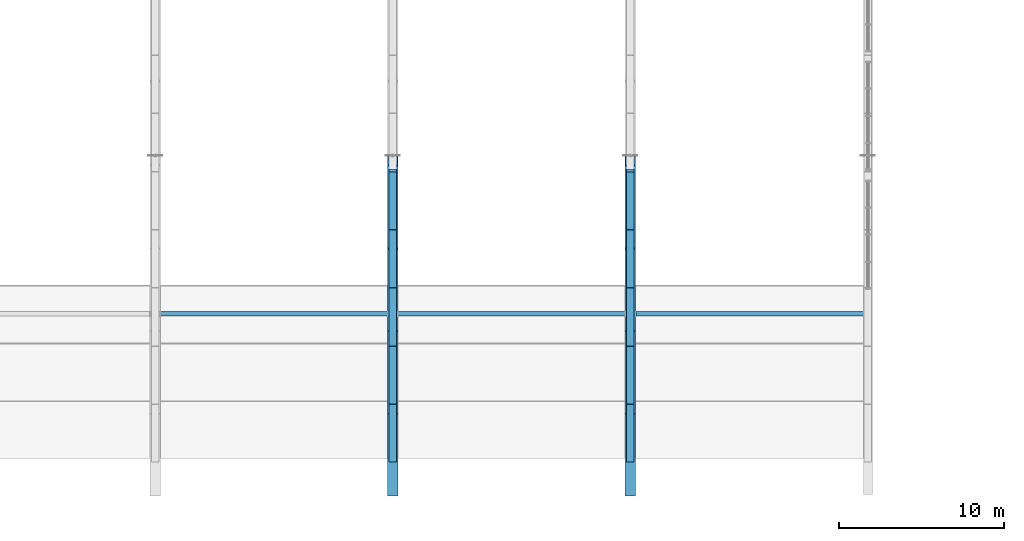
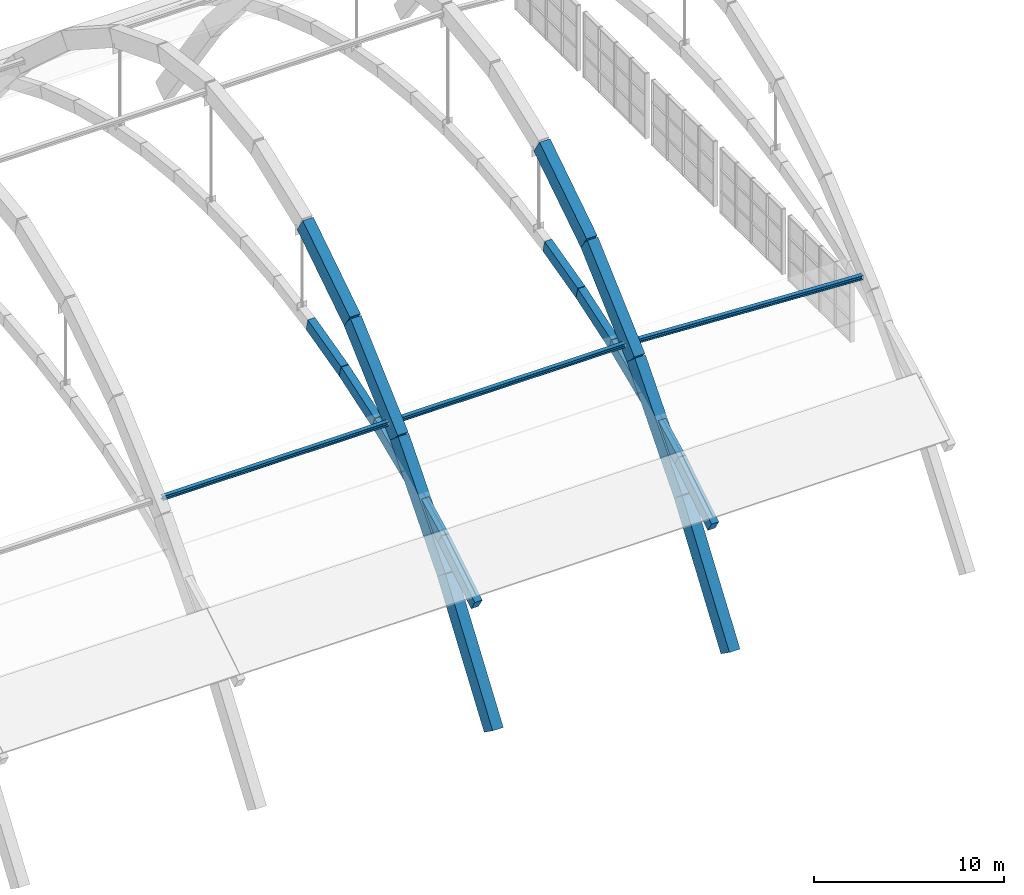
# One storey, part 20 of 64: 11 members, 10 beams.
"""IFC4 building model written with IfcOpenShell, lengths in metres."""

from ifc_helpers import new_model, si_unit, direction, frame, origin, origin_2d, place, context, subcontext, project, spatial, rectangle, hollow_rectangle, i_section, extrude, material, material_profile, profile_set, type_object, element, save


model = new_model("IFC4")

# Units and contexts
model_context = context("Model", 3, precision=1e-05, world=origin(), true_north=direction((0.0, 1.0)))
body_context = subcontext(model_context, "Body", "Model", "MODEL_VIEW")
ifc_project = project(units=[si_unit("LENGTHUNIT", "METRE"), si_unit("AREAUNIT", "SQUARE_METRE"), si_unit("VOLUMEUNIT", "CUBIC_METRE"), si_unit("PLANEANGLEUNIT", "RADIAN"), si_unit("MASSUNIT", "GRAM", prefix="KILO")], contexts=[model_context])

# Site, building, storey
site_placement = place(None, origin())
site = spatial("IfcSite", under=ifc_project, at=site_placement, CompositionType="ELEMENT")
building_placement = place(site_placement, origin())
building = spatial("IfcBuilding", under=site, at=building_placement, Name="Leyfeld Transit Interchange", CompositionType="ELEMENT")
storey_placement = place(building_placement, frame((0.0, 0.0, 9.60009765625)))
storey = spatial("IfcBuildingStorey", under=building, at=storey_placement, Name="L02", CompositionType="ELEMENT", Elevation=9.60009765625)

# Beams
ifc_material_1 = material(Name="Concrete C40/50", Category="concrete")
ifc_material_profile_1 = material_profile(ifc_material_1, rectangle(XDim=0.449951171875, YDim=0.75, at=origin_2d()), Name="RC 750x450 RIB")
ifc_profile_set_1 = profile_set([ifc_material_profile_1], Name="Concrete C40/50")
beam_type = type_object("IfcBeamType", Name="BM-RIB-750x450", PredefinedType="USERDEFINED", material=ifc_profile_set_1)
beam_1_placement = place(storey_placement, frame((72.0, 4.39990234375, -1.135009765625), z_axis=(0.0, 0.850840137882, 0.525424647089), x_axis=(-1.0, 0.0, 0.0)))
element("IfcBeam", 1, at=beam_1_placement, inside=storey, type_object=beam_type, Name="Concourse Vault Rib A6 Seg 1", ObjectType="ARCH_RIB", PredefinedType="USERDEFINED", context=body_context, shape_type="SweptSolid", body=[
    extrude(rectangle(XDim=0.449951171875, YDim=0.75, at=origin_2d()), origin(), (0.0, 0.0, 1.0), 4.113525390625),
])
beam_2_placement = place(storey_placement, frame((72.0, 7.89990234375, 1.0263671875), z_axis=(0.0, 0.890316086289, 0.455343020694), x_axis=(-1.0, 0.0, 0.0)))
element("IfcBeam", 2, at=beam_2_placement, inside=storey, type_object=beam_type, Name="Concourse Vault Rib A6 Seg 2", ObjectType="ARCH_RIB", PredefinedType="USERDEFINED", context=body_context, shape_type="SweptSolid", body=[
    extrude(rectangle(XDim=0.449951171875, YDim=0.75, at=origin_2d()), origin(), (0.0, 0.0, 1.0), 3.93115234375),
])
beam_3_placement = place(storey_placement, frame((72.0, 11.39990234375, 2.81640625), z_axis=(0.0, 0.922787193718, 0.385309998716), x_axis=(-1.0, 0.0, 0.0)))
element("IfcBeam", 3, at=beam_3_placement, inside=storey, type_object=beam_type, Name="Concourse Vault Rib A6 Seg 3", ObjectType="ARCH_RIB", PredefinedType="USERDEFINED", context=body_context, shape_type="SweptSolid", body=[
    extrude(rectangle(XDim=0.449951171875, YDim=0.75, at=origin_2d()), origin(), (0.0, 0.0, 1.0), 3.79296875),
])
beam_4_placement = place(storey_placement, frame((72.0, 14.89990234375, 4.27783203125), z_axis=(0.0, 0.949033570575, 0.315175002058), x_axis=(-1.0, 0.0, 0.0)))
element("IfcBeam", 4, at=beam_4_placement, inside=storey, type_object=beam_type, Name="Concourse Vault Rib A6 Seg 4", ObjectType="ARCH_RIB", PredefinedType="USERDEFINED", context=body_context, shape_type="SweptSolid", body=[
    extrude(rectangle(XDim=0.449951171875, YDim=0.75, at=origin_2d()), origin(), (0.0, 0.0, 1.0), 3.68798828125),
])
beam_5_placement = place(storey_placement, frame((72.0, 18.39990234375, 5.440185546875), z_axis=(0.0, 0.969486598247, 0.245144316312), x_axis=(-1.0, 0.0, 0.0)))
element("IfcBeam", 5, at=beam_5_placement, inside=storey, type_object=beam_type, Name="Concourse Vault Rib A6 Seg 5", ObjectType="ARCH_RIB", PredefinedType="USERDEFINED", context=body_context, shape_type="SweptSolid", body=[
    extrude(rectangle(XDim=0.449951171875, YDim=0.75, at=origin_2d()), origin(), (0.0, 0.0, 1.0), 3.610107421875),
])
beam_6_placement = place(storey_placement, frame((86.39990234375, 4.39990234375, -1.135009765625), z_axis=(0.0, 0.850840137882, 0.525424647089), x_axis=(-1.0, 0.0, 0.0)))
element("IfcBeam", 6, at=beam_6_placement, inside=storey, type_object=beam_type, Name="Concourse Vault Rib A7 Seg 1", ObjectType="ARCH_RIB", PredefinedType="USERDEFINED", context=body_context, shape_type="SweptSolid", body=[
    extrude(rectangle(XDim=0.449951171875, YDim=0.75, at=origin_2d()), origin(), (0.0, 0.0, 1.0), 4.113525390625),
])
beam_7_placement = place(storey_placement, frame((86.39990234375, 7.89990234375, 1.0263671875), z_axis=(0.0, 0.890316086289, 0.455343020694), x_axis=(-1.0, 0.0, 0.0)))
element("IfcBeam", 7, at=beam_7_placement, inside=storey, type_object=beam_type, Name="Concourse Vault Rib A7 Seg 2", ObjectType="ARCH_RIB", PredefinedType="USERDEFINED", context=body_context, shape_type="SweptSolid", body=[
    extrude(rectangle(XDim=0.449951171875, YDim=0.75, at=origin_2d()), origin(), (0.0, 0.0, 1.0), 3.93115234375),
])
beam_8_placement = place(storey_placement, frame((86.39990234375, 11.39990234375, 2.81640625), z_axis=(0.0, 0.922787193718, 0.385309998716), x_axis=(-1.0, 0.0, 0.0)))
element("IfcBeam", 8, at=beam_8_placement, inside=storey, type_object=beam_type, Name="Concourse Vault Rib A7 Seg 3", ObjectType="ARCH_RIB", PredefinedType="USERDEFINED", context=body_context, shape_type="SweptSolid", body=[
    extrude(rectangle(XDim=0.449951171875, YDim=0.75, at=origin_2d()), origin(), (0.0, 0.0, 1.0), 3.79296875),
])
beam_9_placement = place(storey_placement, frame((86.39990234375, 14.89990234375, 4.27783203125), z_axis=(0.0, 0.949033570575, 0.315175002058), x_axis=(-1.0, 0.0, 0.0)))
element("IfcBeam", 9, at=beam_9_placement, inside=storey, type_object=beam_type, Name="Concourse Vault Rib A7 Seg 4", ObjectType="ARCH_RIB", PredefinedType="USERDEFINED", context=body_context, shape_type="SweptSolid", body=[
    extrude(rectangle(XDim=0.449951171875, YDim=0.75, at=origin_2d()), origin(), (0.0, 0.0, 1.0), 3.68798828125),
])
beam_10_placement = place(storey_placement, frame((86.39990234375, 18.39990234375, 5.440185546875), z_axis=(0.0, 0.969486598247, 0.245144316312), x_axis=(-1.0, 0.0, 0.0)))
element("IfcBeam", 10, at=beam_10_placement, inside=storey, type_object=beam_type, Name="Concourse Vault Rib A7 Seg 5", ObjectType="ARCH_RIB", PredefinedType="USERDEFINED", context=body_context, shape_type="SweptSolid", body=[
    extrude(rectangle(XDim=0.449951171875, YDim=0.75, at=origin_2d()), origin(), (0.0, 0.0, 1.0), 3.610107421875),
])

# Members
ifc_material_2 = material(Name="Steel S355J2 - Ochre Arch", Category="steel")
ifc_material_profile_2 = material_profile(ifc_material_2, hollow_rectangle(XDim=0.64990234375, YDim=1.10009765625, WallThickness=0.035888671875, at=origin_2d()), Name="RHS 1100x650x36")
ifc_profile_set_2 = profile_set([ifc_material_profile_2], Name="Steel S355J2 - Ochre Arch")
member_type_1 = type_object("IfcMemberType", Name="MEM-ARCH-1100", PredefinedType="USERDEFINED", material=ifc_profile_set_2)
member_1_placement = place(storey_placement, frame((72.0, 2.60009765625, -8.10009765625), z_axis=(0.0, 0.575459771691, 0.817830086977), x_axis=(-1.0, 0.0, 0.0)))
element("IfcMember", 11, at=member_1_placement, inside=storey, type_object=member_type_1, Name="Primary Steel Arch AR-05 Seg 1", ObjectType="ARCH_SEGMENT", PredefinedType="USERDEFINED", context=body_context, shape_type="SweptSolid", body=[
    extrude(hollow_rectangle(XDim=0.64990234375, YDim=1.10009765625, WallThickness=0.035888671875, at=origin_2d()), origin(), (0.0, 0.0, 1.0), 8.630615234375),
])
member_2_placement = place(storey_placement, frame((72.0, 7.566650390625, -1.041748046875), z_axis=(0.0, 0.652049586975, 0.758176322583), x_axis=(-1.0, 0.0, 0.0)))
element("IfcMember", 12, at=member_2_placement, inside=storey, type_object=member_type_1, Name="Primary Steel Arch AR-05 Seg 2", ObjectType="ARCH_SEGMENT", PredefinedType="USERDEFINED", context=body_context, shape_type="SweptSolid", body=[
    extrude(hollow_rectangle(XDim=0.64990234375, YDim=1.10009765625, WallThickness=0.035888671875, at=origin_2d()), origin(), (0.0, 0.0, 1.0), 7.616943359375),
])
member_3_placement = place(storey_placement, frame((72.0, 12.533203125, 4.733154296875), z_axis=(0.0, 0.741689498997, 0.670743383924), x_axis=(-1.0, 0.0, 0.0)))
element("IfcMember", 13, at=member_3_placement, inside=storey, type_object=member_type_1, Name="Primary Steel Arch AR-05 Seg 3", ObjectType="ARCH_SEGMENT", PredefinedType="USERDEFINED", context=body_context, shape_type="SweptSolid", body=[
    extrude(hollow_rectangle(XDim=0.64990234375, YDim=1.10009765625, WallThickness=0.035888671875, at=origin_2d()), origin(), (0.0, 0.0, 1.0), 6.696533203125),
])
member_4_placement = place(storey_placement, frame((72.0, 17.5, 9.224853515625), z_axis=(0.0, 0.839979785282, 0.542617692596), x_axis=(-1.0, 0.0, 0.0)))
element("IfcMember", 14, at=member_4_placement, inside=storey, type_object=member_type_1, Name="Primary Steel Arch AR-05 Seg 4", ObjectType="ARCH_SEGMENT", PredefinedType="USERDEFINED", context=body_context, shape_type="SweptSolid", body=[
    extrude(hollow_rectangle(XDim=0.64990234375, YDim=1.10009765625, WallThickness=0.035888671875, at=origin_2d()), origin(), (0.0, 0.0, 1.0), 5.9130859375),
])
member_5_placement = place(storey_placement, frame((86.39990234375, 2.60009765625, -8.10009765625), z_axis=(0.0, 0.575459771691, 0.817830086977), x_axis=(-1.0, 0.0, 0.0)))
element("IfcMember", 15, at=member_5_placement, inside=storey, type_object=member_type_1, Name="Primary Steel Arch AR-06 Seg 1", ObjectType="ARCH_SEGMENT", PredefinedType="USERDEFINED", context=body_context, shape_type="SweptSolid", body=[
    extrude(hollow_rectangle(XDim=0.64990234375, YDim=1.10009765625, WallThickness=0.035888671875, at=origin_2d()), origin(), (0.0, 0.0, 1.0), 8.630615234375),
])
member_6_placement = place(storey_placement, frame((86.39990234375, 7.566650390625, -1.041748046875), z_axis=(0.0, 0.652049586975, 0.758176322583), x_axis=(-1.0, 0.0, 0.0)))
element("IfcMember", 16, at=member_6_placement, inside=storey, type_object=member_type_1, Name="Primary Steel Arch AR-06 Seg 2", ObjectType="ARCH_SEGMENT", PredefinedType="USERDEFINED", context=body_context, shape_type="SweptSolid", body=[
    extrude(hollow_rectangle(XDim=0.64990234375, YDim=1.10009765625, WallThickness=0.035888671875, at=origin_2d()), origin(), (0.0, 0.0, 1.0), 7.616943359375),
])
member_7_placement = place(storey_placement, frame((86.39990234375, 12.533203125, 4.733154296875), z_axis=(0.0, 0.741689498997, 0.670743383924), x_axis=(-1.0, 0.0, 0.0)))
element("IfcMember", 17, at=member_7_placement, inside=storey, type_object=member_type_1, Name="Primary Steel Arch AR-06 Seg 3", ObjectType="ARCH_SEGMENT", PredefinedType="USERDEFINED", context=body_context, shape_type="SweptSolid", body=[
    extrude(hollow_rectangle(XDim=0.64990234375, YDim=1.10009765625, WallThickness=0.035888671875, at=origin_2d()), origin(), (0.0, 0.0, 1.0), 6.696533203125),
])
member_8_placement = place(storey_placement, frame((86.39990234375, 17.5, 9.224853515625), z_axis=(0.0, 0.839979785282, 0.542617692596), x_axis=(-1.0, 0.0, 0.0)))
element("IfcMember", 18, at=member_8_placement, inside=storey, type_object=member_type_1, Name="Primary Steel Arch AR-06 Seg 4", ObjectType="ARCH_SEGMENT", PredefinedType="USERDEFINED", context=body_context, shape_type="SweptSolid", body=[
    extrude(hollow_rectangle(XDim=0.64990234375, YDim=1.10009765625, WallThickness=0.035888671875, at=origin_2d()), origin(), (0.0, 0.0, 1.0), 5.9130859375),
])
ifc_material_3 = material(Name="Steel S355J2", Category="steel")
ifc_material_profile_3 = material_profile(ifc_material_3, i_section(OverallWidth=0.260009765625, OverallDepth=0.260009765625, WebThickness=0.010009765625, FlangeThickness=0.017578125, FilletRadius=0.02392578125, at=origin_2d()), Name="HEB 260")
ifc_profile_set_3 = profile_set([ifc_material_profile_3], Name="Steel S355J2")
member_type_2 = type_object("IfcMemberType", Name="MEM-CHD-HEB260", PredefinedType="CHORD", material=ifc_profile_set_3)
for number, where, z_axis, x_axis, name in (
    (19, (57.925048828125, 13.199951171875, 5.336181640625), (1.0, 0.0, 0.0), (0.0, 1.0, 0.0), "Arch Longitudinal Tie Chord B5 T1"),
    (20, (72.324951171875, 13.199951171875, 5.336181640625), (1.0, 0.0, 0.0), (0.0, 1.0, 0.0), "Arch Longitudinal Tie Chord B6 T1"),
):
    element("IfcMember", number, at=place(storey_placement, frame(where, z_axis=z_axis, x_axis=x_axis)), inside=storey, type_object=member_type_2, Name=name, PredefinedType="CHORD", context=body_context, shape_type="SweptSolid", body=[
        extrude(i_section(OverallWidth=0.260009765625, OverallDepth=0.260009765625, WebThickness=0.010009765625, FlangeThickness=0.017578125, FilletRadius=0.02392578125, at=origin_2d()), origin(), (0.0, 0.0, 1.0), 13.75),
    ])
member_9_placement = place(storey_placement, frame((86.72509765625, 13.199951171875, 5.336181640625), z_axis=(0.998723266652, 0.0, -0.050515706945), x_axis=(0.0, 1.0, 0.0)))
element("IfcMember", 21, at=member_9_placement, inside=storey, type_object=member_type_2, Name="Arch Longitudinal Tie Chord B7 T1", PredefinedType="CHORD", context=body_context, shape_type="SweptSolid", body=[
    extrude(i_section(OverallWidth=0.260009765625, OverallDepth=0.260009765625, WebThickness=0.010009765625, FlangeThickness=0.017578125, FilletRadius=0.02392578125, at=origin_2d()), origin(), (0.0, 0.0, 1.0), 13.8173828125),
])

save(model, "model.ifc")
